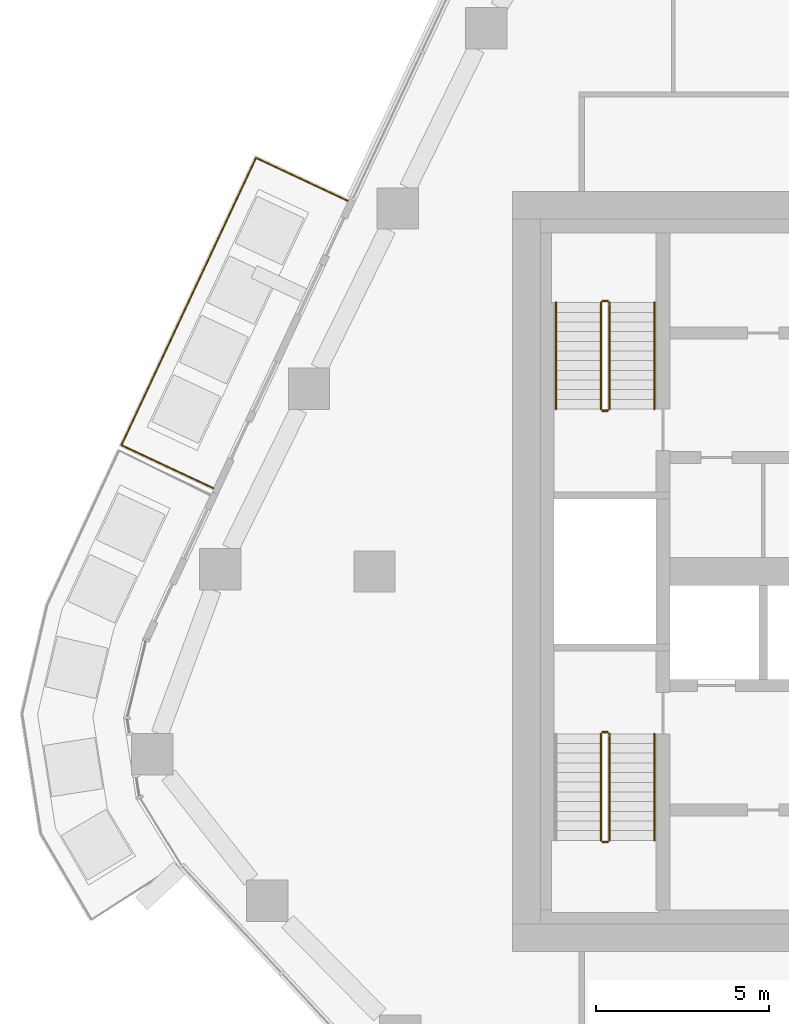
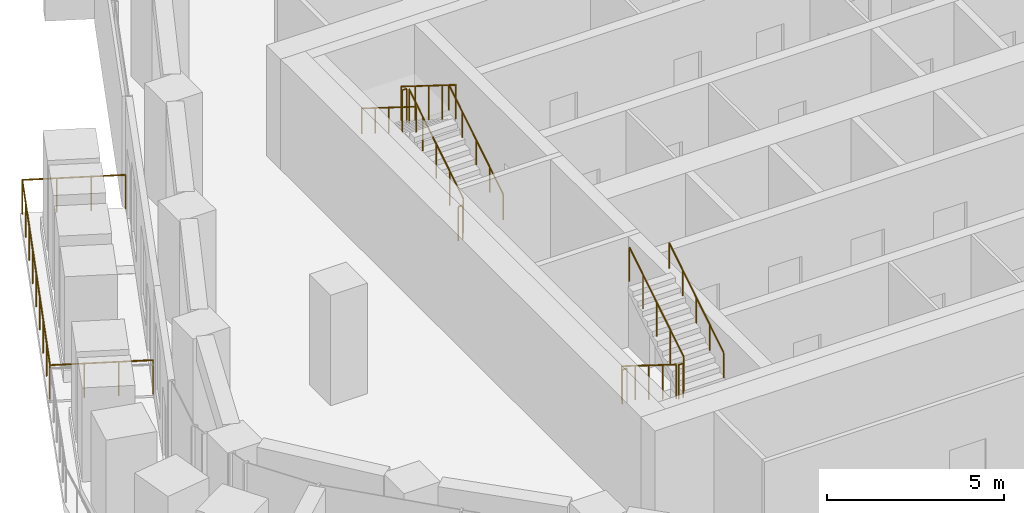
# One storey, part 15 of 17: 12 railings.
"""IFC4 building model written with IfcOpenShell, lengths in metres."""

import ifcopenshell
import ifcopenshell.guid

model = None  # the IFC model being written
_history = None  # IfcOwnerHistory: only IFC2X3 demands one
_inside = {}  # id of a spatial element -> (the spatial element, [elements in it])
_under = {}  # id of a project, library or spatial element -> (it, [spatial elements below it])
_declared = {}  # id of a project -> (the project, [libraries it declares])
_typed = {}  # id of a type object -> (the type object, [elements of that type])
_made_of = {}  # id of a material, layer set ... -> (it, [elements and type objects made of it])


def new_model(schema):
    """Start an empty IFC model of exactly this schema.

    Asked for "IFC4X3", IfcOpenShell would pick the latest addendum, in which some entities
    have other attributes; the version numbers below select the first issue.
    IFC2X3 requires an IfcOwnerHistory on every rooted entity: one is made here for all.
    """
    global model, _history
    if schema == "IFC4X3":
        model = ifcopenshell.file(schema_version=(4, 3, 0, 0))
    else:
        model = ifcopenshell.file(schema=schema)
    _inside.clear()
    _under.clear()
    _declared.clear()
    _typed.clear()
    _made_of.clear()
    _history = None
    if model.schema == "IFC2X3":
        org = make("IfcOrganization", Name="unknown")
        user = make(
            "IfcPersonAndOrganization",
            ThePerson=make("IfcPerson", FamilyName="unknown"),
            TheOrganization=org,
        )
        app = make(
            "IfcApplication",
            ApplicationDeveloper=org,
            Version="unknown",
            ApplicationFullName="unknown",
            ApplicationIdentifier="unknown",
        )
        _history = make(
            "IfcOwnerHistory",
            OwningUser=user,
            OwningApplication=app,
            ChangeAction="ADDED",
            CreationDate=0,
        )
    return model


def make(cls, **values):
    """One entity of the class cls with the attributes given. An attribute that is None is left unset."""
    return model.create_entity(
        cls, **{name: value for name, value in values.items() if value is not None}
    )


def rooted(cls, **values):
    """An entity with a GlobalId (a new one), such as an element, a storey or a relation."""
    return make(cls, GlobalId=ifcopenshell.guid.new(), OwnerHistory=_history, **values)


def si_unit(unit_type, name, prefix=None):
    """IfcSIUnit, for example si_unit("LENGTHUNIT", "METRE", prefix="MILLI")."""
    return make("IfcSIUnit", UnitType=unit_type, Prefix=prefix, Name=name)


def assignment(units):
    """IfcUnitAssignment: the units of a project."""
    return None if units is None else make("IfcUnitAssignment", Units=units)


def point(xyz):
    """IfcCartesianPoint."""
    return None if xyz is None else make("IfcCartesianPoint", Coordinates=xyz)


def direction(xyz):
    """IfcDirection."""
    return None if xyz is None else make("IfcDirection", DirectionRatios=xyz)


def frame(location, z_axis=None, x_axis=None):
    """IfcAxis2Placement3D, a coordinate frame: its origin and axes. An axis left out is left unset."""
    return make(
        "IfcAxis2Placement3D",
        Location=point(location),
        Axis=direction(z_axis),
        RefDirection=direction(x_axis),
    )


def frame_2d(location, x_axis=None):
    """IfcAxis2Placement2D, a coordinate frame in the plane: its origin and x axis."""
    return make(
        "IfcAxis2Placement2D", Location=point(location), RefDirection=direction(x_axis)
    )


def origin():
    """The frame at (0, 0, 0) with its axes left unset."""
    return frame((0.0, 0.0, 0.0))


def origin_2d():
    """The frame at (0, 0) in the plane with its x axis left unset."""
    return frame_2d((0.0, 0.0))


def place(relative_to, where):
    """IfcLocalPlacement: puts the frame where relative to a parent placement (None: the world)."""
    return make(
        "IfcLocalPlacement", PlacementRelTo=relative_to, RelativePlacement=where
    )


def context(
    kind, dimensions, precision=None, world=None, true_north=None, identifier=None
):
    """IfcGeometricRepresentationContext, for example the 3D "Model" context."""
    return make(
        "IfcGeometricRepresentationContext",
        ContextIdentifier=identifier,
        ContextType=kind,
        CoordinateSpaceDimension=dimensions,
        Precision=precision,
        WorldCoordinateSystem=world,
        TrueNorth=true_north,
    )


def subcontext(parent, identifier, kind, view, scale=None):
    """IfcGeometricRepresentationSubContext, for example "Body" below "Model"."""
    return make(
        "IfcGeometricRepresentationSubContext",
        ContextIdentifier=identifier,
        ContextType=kind,
        ParentContext=parent,
        TargetScale=scale,
        TargetView=view,
    )


def project(units=None, contexts=None):
    """IfcProject with its units and contexts."""
    return rooted(
        "IfcProject",
        Name="project",
        RepresentationContexts=contexts,
        UnitsInContext=assignment(units),
    )


def spatial(cls, under=None, at=None, **own):
    """A site, building, storey or space (cls), placed at a placement, below another one or the project."""
    s = rooted(cls, ObjectPlacement=at, **own)
    if under is not None:
        _under.setdefault(under.id(), (under, []))[1].append(s)
    return s


def profile(cls, at=None, kind="AREA", **sizes):
    """A parametric profile (cls). Its sizes go by their IFC names, for example OverallWidth=200.0."""
    return make(cls, ProfileType=kind, Position=at, **sizes)


def circle(**sizes):
    """IfcCircleProfileDef."""
    return profile("IfcCircleProfileDef", **sizes)


def extrude(swept, where, along, depth):
    """IfcExtrudedAreaSolid: the profile swept, set in the frame where, extruded along a direction by depth."""
    return make(
        "IfcExtrudedAreaSolid",
        SweptArea=swept,
        Position=where,
        ExtrudedDirection=direction(along),
        Depth=depth,
    )


def shape(context_of_items, identifier, shape_type, items):
    """IfcShapeRepresentation: the items that make up one representation, for example the "Body"."""
    return make(
        "IfcShapeRepresentation",
        ContextOfItems=context_of_items,
        RepresentationIdentifier=identifier,
        RepresentationType=shape_type,
        Items=items,
    )


def material(Name=None, Category=None):
    """IfcMaterial."""
    return make("IfcMaterial", Name=Name, Category=Category)


def made_of(thing, what):
    """Note that an element or type object is made of a material, layer set ...; save() writes the relation."""
    if what is not None:
        _made_of.setdefault(what.id(), (what, []))[1].append(thing)
    return thing


def type_object(cls, material=None, **own):
    """A type object (cls), such as IfcWallType, which elements share."""
    return made_of(rooted(cls, **own), material)


def element(
    cls,
    number,
    at=None,
    inside=None,
    cuts=None,
    type_object=None,
    material=None,
    context=None,
    identifier="Body",
    shape_type=None,
    held_by="IfcProductDefinitionShape",
    body=None,
    shapes=None,
    **own,
):
    """One element of the class cls, such as IfcWall. Its Tag is "e" and its number.

    at: its placement. inside: the storey or other place that contains it. cuts: it is an
    opening in that element (IfcRelVoidsElement). A single representation is given by context,
    identifier, shape_type and body (its items); several are given by shapes. held_by: the class
    of the entity that holds the representations. save() writes the other relations.
    """
    e = rooted(cls, Tag="e%d" % number, ObjectPlacement=at, **own)
    if body is not None:
        shapes = [shape(context, identifier, shape_type, body)]
    if shapes is not None:
        e.Representation = make(held_by, Representations=shapes)
    if inside is not None:
        _inside.setdefault(inside.id(), (inside, []))[1].append(e)
    if cuts is not None:
        rooted(
            "IfcRelVoidsElement", RelatingBuildingElement=cuts, RelatedOpeningElement=e
        )
    if type_object is not None:
        _typed.setdefault(type_object.id(), (type_object, []))[1].append(e)
    return made_of(e, material)


def aggregate(whole, parts):
    """IfcRelAggregates: a whole, such as a stair, and the parts it consists of."""
    return rooted("IfcRelAggregates", RelatingObject=whole, RelatedObjects=parts)


def save(model, path):
    """Write the relations noted so far, then the file.

    IfcRelAggregates (storeys below a building ...), IfcRelContainedInSpatialStructure (elements
    in a storey), IfcRelDefinesByType, IfcRelAssociatesMaterial and IfcRelDeclares: one each for
    every whole, place, type object, material and project.
    """
    for whole, parts in _under.values():
        aggregate(whole, parts)
    for where, things in _inside.values():
        rooted(
            "IfcRelContainedInSpatialStructure",
            RelatedElements=things,
            RelatingStructure=where,
        )
    for kind, things in _typed.values():
        rooted("IfcRelDefinesByType", RelatedObjects=things, RelatingType=kind)
    for what, things in _made_of.values():
        rooted("IfcRelAssociatesMaterial", RelatedObjects=things, RelatingMaterial=what)
    for by, libraries in _declared.values():
        rooted("IfcRelDeclares", RelatingContext=by, RelatedDefinitions=libraries)
    model.write(path)


model = new_model("IFC4")

# Units and contexts
model_context = context("Model", 3, precision=1e-05, world=origin(), true_north=direction((0.0, 1.0)))
body_context = subcontext(model_context, "Body", "Model", "MODEL_VIEW")
ifc_project = project(units=[si_unit("LENGTHUNIT", "METRE"), si_unit("AREAUNIT", "SQUARE_METRE"), si_unit("VOLUMEUNIT", "CUBIC_METRE"), si_unit("PLANEANGLEUNIT", "RADIAN"), si_unit("MASSUNIT", "GRAM", prefix="KILO")], contexts=[model_context])

# Site, building, storey
site_placement = place(None, origin())
site = spatial("IfcSite", under=ifc_project, at=site_placement, CompositionType="ELEMENT")
building_placement = place(site_placement, origin())
building = spatial("IfcBuilding", under=site, at=building_placement, Name="Dongbaek Canopy Tower", CompositionType="ELEMENT")
storey_placement = place(building_placement, frame((0.0, 0.0, 211.39990234375)))
storey = spatial("IfcBuildingStorey", under=building, at=storey_placement, Name="L44", CompositionType="ELEMENT", Elevation=211.39990234375)

# Railings
ifc_material_1 = material(Name="Stainless steel", Category="steel")
railing_type_1 = type_object("IfcRailingType", Name="Balcony balustrade 1200", PredefinedType="BALUSTRADE", material=ifc_material_1)
railing_1_placement = place(storey_placement, frame((-18.7666015625, 10.722900390625, 0.0)))
element("IfcRailing", 1, at=railing_1_placement, inside=storey, type_object=railing_type_1, Name="Balcony guard L44 1", PredefinedType="BALUSTRADE", context=body_context, shape_type="SweptSolid", body=[
    extrude(circle(Radius=0.02392578125, at=origin_2d()), frame((0.0, 0.0, 1.17578125), z_axis=(-0.905592520154, 0.424148779841, 0.0), x_axis=(-0.424148779841, -0.905592520154, 0.0)), (0.0, 0.0, 1.0), 2.940185546875),
    extrude(circle(Radius=0.02392578125, at=origin_2d()), frame((-2.66259765625, 1.2470703125, 1.17578125), z_axis=(-0.424176323121, -0.905579619307, 0.0), x_axis=(0.905579619307, -0.424176323121, 0.0)), (0.0, 0.0, 1.0), 9.180908203125),
    extrude(circle(Radius=0.02392578125, at=origin_2d()), frame((-6.556884765625, -7.06689453125, 1.17578125), z_axis=(0.905592520154, -0.424148779841, 0.0), x_axis=(0.424148779841, 0.905592520154, 0.0)), (0.0, 0.0, 1.0), 2.940185546875),
    extrude(circle(Radius=0.02099609375, at=origin_2d()), origin(), (0.0, 0.0, 1.0), 1.15185546875),
    extrude(circle(Radius=0.02099609375, at=origin_2d()), frame((-0.887451171875, 0.415771484375, 0.0)), (0.0, 0.0, 1.0), 1.15185546875),
    extrude(circle(Radius=0.02099609375, at=origin_2d()), frame((-1.775146484375, 0.831298828125, 0.0)), (0.0, 0.0, 1.0), 1.15185546875),
    extrude(circle(Radius=0.02099609375, at=origin_2d()), frame((-2.66259765625, 1.2470703125, 0.0)), (0.0, 0.0, 1.0), 1.15185546875),
    extrude(circle(Radius=0.02099609375, at=origin_2d()), frame((-3.1494140625, 0.207763671875, 0.0)), (0.0, 0.0, 1.0), 1.15185546875),
    extrude(circle(Radius=0.02099609375, at=origin_2d()), frame((-3.63623046875, -0.83154296875, 0.0)), (0.0, 0.0, 1.0), 1.15185546875),
    extrude(circle(Radius=0.02099609375, at=origin_2d()), frame((-4.123046875, -1.87060546875, 0.0)), (0.0, 0.0, 1.0), 1.15185546875),
    extrude(circle(Radius=0.02099609375, at=origin_2d()), frame((-4.60986328125, -2.909912109375, 0.0)), (0.0, 0.0, 1.0), 1.15185546875),
    extrude(circle(Radius=0.02099609375, at=origin_2d()), frame((-5.096435546875, -3.94921875, 0.0)), (0.0, 0.0, 1.0), 1.15185546875),
    extrude(circle(Radius=0.02099609375, at=origin_2d()), frame((-5.583251953125, -4.98828125, 0.0)), (0.0, 0.0, 1.0), 1.15185546875),
    extrude(circle(Radius=0.02099609375, at=origin_2d()), frame((-6.070068359375, -6.027587890625, 0.0)), (0.0, 0.0, 1.0), 1.15185546875),
    extrude(circle(Radius=0.02099609375, at=origin_2d()), frame((-6.556884765625, -7.06689453125, 0.0)), (0.0, 0.0, 1.0), 1.15185546875),
    extrude(circle(Radius=0.02099609375, at=origin_2d()), frame((-5.66943359375, -7.482666015625, 0.0)), (0.0, 0.0, 1.0), 1.15185546875),
    extrude(circle(Radius=0.02099609375, at=origin_2d()), frame((-4.78173828125, -7.898193359375, 0.0)), (0.0, 0.0, 1.0), 1.15185546875),
    extrude(circle(Radius=0.02099609375, at=origin_2d()), frame((-3.894287109375, -8.31396484375, 0.0)), (0.0, 0.0, 1.0), 1.15185546875),
])
ifc_material_2 = material(Name="Stainless steel tube and balusters", Category="steel")
railing_type_2 = type_object("IfcRailingType", Name="Stair guard 1200", PredefinedType="GUARDRAIL", material=ifc_material_2)
railing_2_placement = place(storey_placement, frame((-11.199951171875, 4.699951171875, 0.175048828125)))
element("IfcRailing", 2, at=railing_2_placement, inside=storey, type_object=railing_type_2, Name="L44 ST-C stair guard 1", PredefinedType="GUARDRAIL", context=body_context, shape_type="SweptSolid", body=[
    extrude(circle(Radius=0.02392578125, at=origin_2d()), frame((0.0, 0.0, 1.17578125), z_axis=(0.0, 0.847998304005, 0.529998940003), x_axis=(-1.0, 0.0, 0.0)), (0.0, 0.0, 1.0), 3.632080078125),
    extrude(circle(Radius=0.02099609375, at=origin_2d()), origin(), (0.0, 0.0, 1.0), 1.15185546875),
    extrude(circle(Radius=0.02099609375, at=origin_2d()), frame((0.0, 0.77001953125, 0.481201171875)), (0.0, 0.0, 1.0), 1.15185546875),
    extrude(circle(Radius=0.02099609375, at=origin_2d()), frame((0.0, 1.5400390625, 0.96240234375)), (0.0, 0.0, 1.0), 1.15185546875),
    extrude(circle(Radius=0.02099609375, at=origin_2d()), frame((0.0, 2.31005859375, 1.44384765625)), (0.0, 0.0, 1.0), 1.15185546875),
    extrude(circle(Radius=0.02099609375, at=origin_2d()), frame((0.0, 3.080078125, 1.925048828125)), (0.0, 0.0, 1.0), 1.15185546875),
])
railing_3_placement = place(storey_placement, frame((-11.25, 7.830078125, 2.10009765625)))
element("IfcRailing", 3, at=railing_3_placement, inside=storey, type_object=railing_type_2, Name="L44 ST-C stair guard 2", PredefinedType="GUARDRAIL", context=body_context, shape_type="SweptSolid", body=[
    extrude(circle(Radius=0.02392578125, at=origin_2d()), frame((0.0, 0.0, 1.17578125), z_axis=(-1.0, 0.0, 0.0), x_axis=(0.0, -1.0, 0.0)), (0.0, 0.0, 1.0), 0.14990234375),
    extrude(circle(Radius=0.02099609375, at=origin_2d()), origin(), (0.0, 0.0, 1.0), 1.15185546875),
    extrude(circle(Radius=0.02099609375, at=origin_2d()), frame((-0.14990234375, 0.0, 0.0)), (0.0, 0.0, 1.0), 1.15185546875),
])
railing_4_placement = place(storey_placement, frame((-11.449951171875, 7.780029296875, 2.275146484375)))
element("IfcRailing", 4, at=railing_4_placement, inside=storey, type_object=railing_type_2, Name="L44 ST-C stair guard 3", PredefinedType="GUARDRAIL", context=body_context, shape_type="SweptSolid", body=[
    extrude(circle(Radius=0.02392578125, at=origin_2d()), frame((0.0, 0.0, 1.17578125), z_axis=(0.0, -0.847998304005, 0.529998940003), x_axis=(1.0, 0.0, 0.0)), (0.0, 0.0, 1.0), 3.632080078125),
    extrude(circle(Radius=0.02099609375, at=origin_2d()), origin(), (0.0, 0.0, 1.0), 1.15185546875),
    extrude(circle(Radius=0.02099609375, at=origin_2d()), frame((0.0, -0.77001953125, 0.481201171875)), (0.0, 0.0, 1.0), 1.15185546875),
    extrude(circle(Radius=0.02099609375, at=origin_2d()), frame((0.0, -1.5400390625, 0.96240234375)), (0.0, 0.0, 1.0), 1.15185546875),
    extrude(circle(Radius=0.02099609375, at=origin_2d()), frame((0.0, -2.31005859375, 1.44384765625)), (0.0, 0.0, 1.0), 1.15185546875),
    extrude(circle(Radius=0.02099609375, at=origin_2d()), frame((0.0, -3.080078125, 1.925048828125)), (0.0, 0.0, 1.0), 1.15185546875),
])
railing_5_placement = place(storey_placement, frame((-11.25, 4.64990234375, 0.0)))
element("IfcRailing", 5, at=railing_5_placement, inside=storey, type_object=railing_type_2, Name="L44 ST-C stair guard 4", PredefinedType="GUARDRAIL", context=body_context, shape_type="SweptSolid", body=[
    extrude(circle(Radius=0.02392578125, at=origin_2d()), frame((0.0, 0.0, 1.17578125), z_axis=(-1.0, 0.0, 0.0), x_axis=(0.0, -1.0, 0.0)), (0.0, 0.0, 1.0), 0.14990234375),
    extrude(circle(Radius=0.02099609375, at=origin_2d()), origin(), (0.0, 0.0, 1.0), 1.15185546875),
    extrude(circle(Radius=0.02099609375, at=origin_2d()), frame((-0.14990234375, 0.0, 0.0)), (0.0, 0.0, 1.0), 1.15185546875),
])
railing_6_placement = place(storey_placement, frame((-11.449951171875, -4.699951171875, 0.175048828125)))
element("IfcRailing", 6, at=railing_6_placement, inside=storey, type_object=railing_type_2, Name="L44 ST-D stair guard 1", PredefinedType="GUARDRAIL", context=body_context, shape_type="SweptSolid", body=[
    extrude(circle(Radius=0.02392578125, at=origin_2d()), frame((0.0, 0.0, 1.17578125), z_axis=(0.0, -0.847998304005, 0.529998940003), x_axis=(1.0, 0.0, 0.0)), (0.0, 0.0, 1.0), 3.632080078125),
    extrude(circle(Radius=0.02099609375, at=origin_2d()), origin(), (0.0, 0.0, 1.0), 1.15185546875),
    extrude(circle(Radius=0.02099609375, at=origin_2d()), frame((0.0, -0.77001953125, 0.481201171875)), (0.0, 0.0, 1.0), 1.15185546875),
    extrude(circle(Radius=0.02099609375, at=origin_2d()), frame((0.0, -1.5400390625, 0.96240234375)), (0.0, 0.0, 1.0), 1.15185546875),
    extrude(circle(Radius=0.02099609375, at=origin_2d()), frame((0.0, -2.31005859375, 1.44384765625)), (0.0, 0.0, 1.0), 1.15185546875),
    extrude(circle(Radius=0.02099609375, at=origin_2d()), frame((0.0, -3.080078125, 1.925048828125)), (0.0, 0.0, 1.0), 1.15185546875),
])
railing_7_placement = place(storey_placement, frame((-11.39990234375, -7.830078125, 2.10009765625)))
element("IfcRailing", 7, at=railing_7_placement, inside=storey, type_object=railing_type_2, Name="L44 ST-D stair guard 2", PredefinedType="GUARDRAIL", context=body_context, shape_type="SweptSolid", body=[
    extrude(circle(Radius=0.02392578125, at=origin_2d()), frame((0.0, 0.0, 1.17578125), z_axis=(1.0, 0.0, 0.0), x_axis=(0.0, 1.0, 0.0)), (0.0, 0.0, 1.0), 0.14990234375),
    extrude(circle(Radius=0.02099609375, at=origin_2d()), origin(), (0.0, 0.0, 1.0), 1.15185546875),
    extrude(circle(Radius=0.02099609375, at=origin_2d()), frame((0.14990234375, 0.0, 0.0)), (0.0, 0.0, 1.0), 1.15185546875),
])
railing_8_placement = place(storey_placement, frame((-11.199951171875, -7.780029296875, 2.275146484375)))
element("IfcRailing", 8, at=railing_8_placement, inside=storey, type_object=railing_type_2, Name="L44 ST-D stair guard 3", PredefinedType="GUARDRAIL", context=body_context, shape_type="SweptSolid", body=[
    extrude(circle(Radius=0.02392578125, at=origin_2d()), frame((0.0, 0.0, 1.17578125), z_axis=(0.0, 0.847998304005, 0.529998940003), x_axis=(-1.0, 0.0, 0.0)), (0.0, 0.0, 1.0), 3.632080078125),
    extrude(circle(Radius=0.02099609375, at=origin_2d()), origin(), (0.0, 0.0, 1.0), 1.15185546875),
    extrude(circle(Radius=0.02099609375, at=origin_2d()), frame((0.0, 0.77001953125, 0.481201171875)), (0.0, 0.0, 1.0), 1.15185546875),
    extrude(circle(Radius=0.02099609375, at=origin_2d()), frame((0.0, 1.5400390625, 0.96240234375)), (0.0, 0.0, 1.0), 1.15185546875),
    extrude(circle(Radius=0.02099609375, at=origin_2d()), frame((0.0, 2.31005859375, 1.44384765625)), (0.0, 0.0, 1.0), 1.15185546875),
    extrude(circle(Radius=0.02099609375, at=origin_2d()), frame((0.0, 3.080078125, 1.925048828125)), (0.0, 0.0, 1.0), 1.15185546875),
])
railing_9_placement = place(storey_placement, frame((-11.39990234375, -4.64990234375, 0.0)))
element("IfcRailing", 9, at=railing_9_placement, inside=storey, type_object=railing_type_2, Name="L44 ST-D stair guard 4", PredefinedType="GUARDRAIL", context=body_context, shape_type="SweptSolid", body=[
    extrude(circle(Radius=0.02392578125, at=origin_2d()), frame((0.0, 0.0, 1.17578125), z_axis=(1.0, 0.0, 0.0), x_axis=(0.0, 1.0, 0.0)), (0.0, 0.0, 1.0), 0.14990234375),
    extrude(circle(Radius=0.02099609375, at=origin_2d()), origin(), (0.0, 0.0, 1.0), 1.15185546875),
    extrude(circle(Radius=0.02099609375, at=origin_2d()), frame((0.14990234375, 0.0, 0.0)), (0.0, 0.0, 1.0), 1.15185546875),
])
ifc_material_3 = material(Name="Stainless steel tube", Category="steel")
railing_type_3 = type_object("IfcRailingType", Name="Stair handrail 900", PredefinedType="HANDRAIL", material=ifc_material_3)
railing_10_placement = place(storey_placement, frame((-9.89990234375, 4.699951171875, 0.175048828125)))
element("IfcRailing", 10, at=railing_10_placement, inside=storey, type_object=railing_type_3, Name="L44 ST-C stair handrail 1", PredefinedType="HANDRAIL", context=body_context, shape_type="SweptSolid", body=[
    extrude(circle(Radius=0.02392578125, at=origin_2d()), frame((0.0, 0.0, 0.8759765625), z_axis=(0.0, 0.847998304005, 0.529998940003), x_axis=(-1.0, 0.0, 0.0)), (0.0, 0.0, 1.0), 3.632080078125),
    extrude(circle(Radius=0.02099609375, at=origin_2d()), origin(), (0.0, 0.0, 1.0), 0.851806640625),
    extrude(circle(Radius=0.02099609375, at=origin_2d()), frame((0.0, 0.77001953125, 0.481201171875)), (0.0, 0.0, 1.0), 0.851806640625),
    extrude(circle(Radius=0.02099609375, at=origin_2d()), frame((0.0, 1.5400390625, 0.96240234375)), (0.0, 0.0, 1.0), 0.851806640625),
    extrude(circle(Radius=0.02099609375, at=origin_2d()), frame((0.0, 2.31005859375, 1.44384765625)), (0.0, 0.0, 1.0), 0.851806640625),
    extrude(circle(Radius=0.02099609375, at=origin_2d()), frame((0.0, 3.080078125, 1.925048828125)), (0.0, 0.0, 1.0), 0.851806640625),
])
railing_11_placement = place(storey_placement, frame((-12.75, 7.780029296875, 2.275146484375)))
element("IfcRailing", 11, at=railing_11_placement, inside=storey, type_object=railing_type_3, Name="L44 ST-C stair handrail 2", PredefinedType="HANDRAIL", context=body_context, shape_type="SweptSolid", body=[
    extrude(circle(Radius=0.02392578125, at=origin_2d()), frame((0.0, 0.0, 0.8759765625), z_axis=(0.0, -0.847998304005, 0.529998940003), x_axis=(1.0, 0.0, 0.0)), (0.0, 0.0, 1.0), 3.632080078125),
    extrude(circle(Radius=0.02099609375, at=origin_2d()), origin(), (0.0, 0.0, 1.0), 0.851806640625),
    extrude(circle(Radius=0.02099609375, at=origin_2d()), frame((0.0, -0.77001953125, 0.481201171875)), (0.0, 0.0, 1.0), 0.851806640625),
    extrude(circle(Radius=0.02099609375, at=origin_2d()), frame((0.0, -1.5400390625, 0.96240234375)), (0.0, 0.0, 1.0), 0.851806640625),
    extrude(circle(Radius=0.02099609375, at=origin_2d()), frame((0.0, -2.31005859375, 1.44384765625)), (0.0, 0.0, 1.0), 0.851806640625),
    extrude(circle(Radius=0.02099609375, at=origin_2d()), frame((0.0, -3.080078125, 1.925048828125)), (0.0, 0.0, 1.0), 0.851806640625),
])
railing_12_placement = place(storey_placement, frame((-9.89990234375, -7.780029296875, 2.275146484375)))
element("IfcRailing", 12, at=railing_12_placement, inside=storey, type_object=railing_type_3, Name="L44 ST-D stair handrail 2", PredefinedType="HANDRAIL", context=body_context, shape_type="SweptSolid", body=[
    extrude(circle(Radius=0.02392578125, at=origin_2d()), frame((0.0, 0.0, 0.8759765625), z_axis=(0.0, 0.847998304005, 0.529998940003), x_axis=(-1.0, 0.0, 0.0)), (0.0, 0.0, 1.0), 3.632080078125),
    extrude(circle(Radius=0.02099609375, at=origin_2d()), origin(), (0.0, 0.0, 1.0), 0.851806640625),
    extrude(circle(Radius=0.02099609375, at=origin_2d()), frame((0.0, 0.77001953125, 0.481201171875)), (0.0, 0.0, 1.0), 0.851806640625),
    extrude(circle(Radius=0.02099609375, at=origin_2d()), frame((0.0, 1.5400390625, 0.96240234375)), (0.0, 0.0, 1.0), 0.851806640625),
    extrude(circle(Radius=0.02099609375, at=origin_2d()), frame((0.0, 2.31005859375, 1.44384765625)), (0.0, 0.0, 1.0), 0.851806640625),
    extrude(circle(Radius=0.02099609375, at=origin_2d()), frame((0.0, 3.080078125, 1.925048828125)), (0.0, 0.0, 1.0), 0.851806640625),
])

save(model, "model.ifc")
